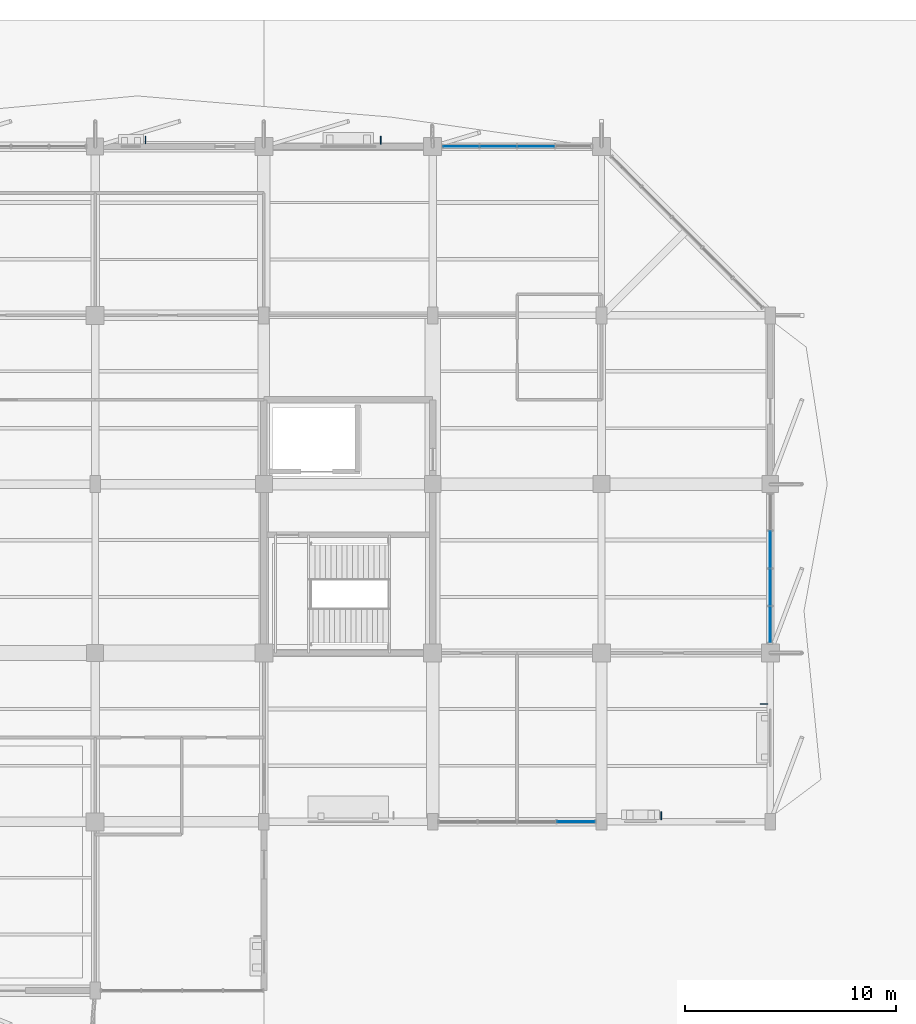
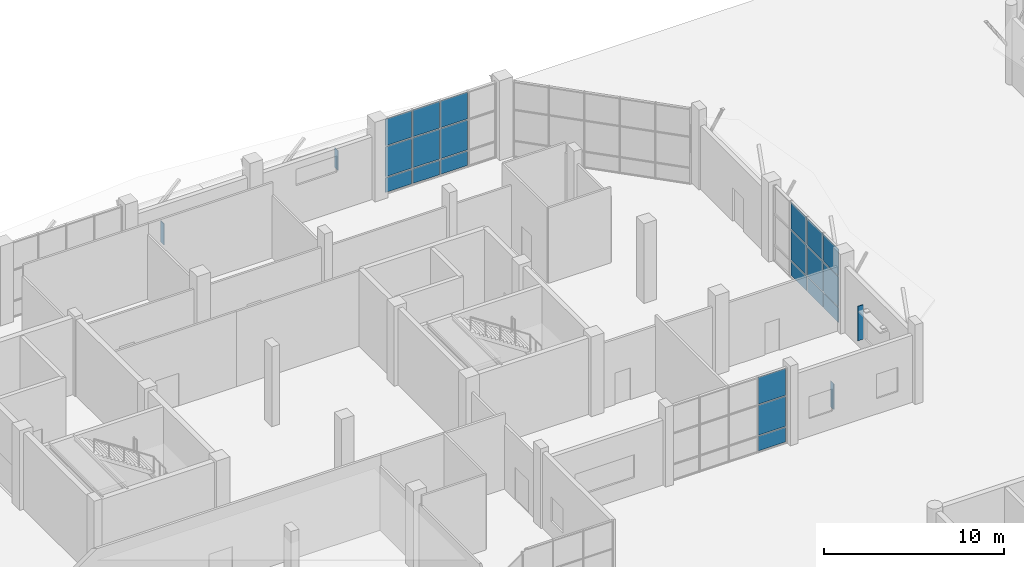
# One storey, part 81 of 123: 25 plates, 3 elements without a shape of their own.
"""IFC4 building model written with IfcOpenShell, lengths in metres."""

from ifc_helpers import new_model, si_unit, direction, frame, origin, origin_2d, place, context, subcontext, project, spatial, rectangle, extrude, material, layer, layer_set, type_object, element, aggregate, save


model = new_model("IFC4")

# Units and contexts
model_context = context("Model", 3, precision=1e-05, world=origin(), true_north=direction((0.0, 1.0)))
body_context = subcontext(model_context, "Body", "Model", "MODEL_VIEW")
ifc_project = project(units=[si_unit("LENGTHUNIT", "METRE"), si_unit("AREAUNIT", "SQUARE_METRE"), si_unit("VOLUMEUNIT", "CUBIC_METRE"), si_unit("PLANEANGLEUNIT", "RADIAN"), si_unit("MASSUNIT", "GRAM", prefix="KILO")], contexts=[model_context])

# Site, building, storey
site_placement = place(None, origin())
site = spatial("IfcSite", under=ifc_project, at=site_placement, CompositionType="ELEMENT")
building_placement = place(site_placement, origin())
building = spatial("IfcBuilding", under=site, at=building_placement, Name="Tenunan Teduh Sports Hall", CompositionType="ELEMENT")
storey_placement = place(building_placement, origin())
storey = spatial("IfcBuildingStorey", under=building, at=storey_placement, Name="L00", CompositionType="ELEMENT", Elevation=0.0)

# Curtain wall, plates
ifc_material_1 = material(Name="Anodised aluminium", Category="aluminium")
curtain_wall_type = type_object("IfcCurtainWallType", Name="CW-UNIT-1", PredefinedType="NOTDEFINED", material=ifc_material_1)
curtain_wall_1_placement = place(storey_placement, origin())
curtain_wall_1 = element("IfcCurtainWall", 1, at=curtain_wall_1_placement, inside=storey, type_object=curtain_wall_type, Name="CW-CWM-200-L00-192", PredefinedType="NOTDEFINED")
ifc_material_2 = material(Name="Low-E laminated double glazing", Category="glass")
ifc_layer_1 = layer(ifc_material_2, 0.028076171875)
ifc_layer_set_1 = layer_set([ifc_layer_1], Name="Low-E laminated double glazing")
plate_type_1 = type_object("IfcPlateType", Name="CWP-GLZ-28", PredefinedType="CURTAIN_PANEL", material=ifc_layer_set_1)
plate_1_placement = place(storey_placement, frame((68.794921875, 86.0, 1.134765625), z_axis=(0.0, 0.0, 1.0), x_axis=(1.0, 0.0, 0.0)))
plate_1 = element("IfcPlate", 2, at=plate_1_placement, type_object=plate_type_1, Name="CW-01 panel 4.2", PredefinedType="CURTAIN_PANEL", context=body_context, shape_type="SweptSolid", body=[
    extrude(rectangle(XDim=1.77001953125, YDim=0.028076171875, at=origin_2d()), origin(), (0.0, 0.0, 1.0), 2.030029296875),
])
plate_2_placement = place(storey_placement, frame((68.794921875, 86.0, 3.235107421875), z_axis=(0.0, 0.0, 1.0), x_axis=(1.0, 0.0, 0.0)))
plate_2 = element("IfcPlate", 3, at=plate_2_placement, type_object=plate_type_1, Name="CW-01 panel 4.3", PredefinedType="CURTAIN_PANEL", context=body_context, shape_type="SweptSolid", body=[
    extrude(rectangle(XDim=1.77001953125, YDim=0.028076171875, at=origin_2d()), origin(), (0.0, 0.0, 1.0), 1.81494140625),
])

curtain_wall_2_placement = place(storey_placement, origin())
curtain_wall_2 = element("IfcCurtainWall", 4, at=curtain_wall_2_placement, inside=storey, type_object=curtain_wall_type, Name="CW-CWM-220-L00-193", PredefinedType="NOTDEFINED")
ifc_material_3 = material(Name="Solar-control laminated glazing", Category="glass")
ifc_layer_2 = layer(ifc_material_3, 0.031982421875)
ifc_layer_set_2 = layer_set([ifc_layer_2], Name="Solar-control laminated glazing")
plate_type_2 = type_object("IfcPlateType", Name="CWP-GLZ-32", PredefinedType="CURTAIN_PANEL", material=ifc_layer_set_2)
plate_3_placement = place(storey_placement, frame((78.0, 95.340576171875, 1.137451171875), z_axis=(0.0, 0.0, 1.0), x_axis=(0.0, 1.0, 0.0)))
plate_3 = element("IfcPlate", 5, at=plate_3_placement, type_object=plate_type_2, Name="CW-01 panel 1.2", PredefinedType="CURTAIN_PANEL", context=body_context, shape_type="SweptSolid", body=[
    extrude(rectangle(XDim=1.68115234375, YDim=0.031982421875, at=origin_2d()), origin(), (0.0, 0.0, 1.0), 2.02490234375),
])
plate_4_placement = place(storey_placement, frame((78.0, 95.340576171875, 3.237548828125), z_axis=(0.0, 0.0, 1.0), x_axis=(0.0, 1.0, 0.0)))
plate_4 = element("IfcPlate", 6, at=plate_4_placement, type_object=plate_type_2, Name="CW-01 panel 1.3", PredefinedType="CURTAIN_PANEL", context=body_context, shape_type="SweptSolid", body=[
    extrude(rectangle(XDim=1.68115234375, YDim=0.031982421875, at=origin_2d()), origin(), (0.0, 0.0, 1.0), 1.8076171875),
])
plate_5_placement = place(storey_placement, frame((78.0, 97.11572265625, 1.137451171875), z_axis=(0.0, 0.0, 1.0), x_axis=(0.0, 1.0, 0.0)))
plate_5 = element("IfcPlate", 7, at=plate_5_placement, type_object=plate_type_2, Name="CW-01 panel 2.2", PredefinedType="CURTAIN_PANEL", context=body_context, shape_type="SweptSolid", body=[
    extrude(rectangle(XDim=1.71875, YDim=0.031982421875, at=origin_2d()), origin(), (0.0, 0.0, 1.0), 2.02490234375),
])
plate_6_placement = place(storey_placement, frame((78.0, 97.11572265625, 3.237548828125), z_axis=(0.0, 0.0, 1.0), x_axis=(0.0, 1.0, 0.0)))
plate_6 = element("IfcPlate", 8, at=plate_6_placement, type_object=plate_type_2, Name="CW-01 panel 2.3", PredefinedType="CURTAIN_PANEL", context=body_context, shape_type="SweptSolid", body=[
    extrude(rectangle(XDim=1.71875, YDim=0.031982421875, at=origin_2d()), origin(), (0.0, 0.0, 1.0), 1.8076171875),
])
plate_7_placement = place(storey_placement, frame((78.0, 98.909423828125, 1.137451171875), z_axis=(0.0, 0.0, 1.0), x_axis=(0.0, 1.0, 0.0)))
plate_7 = element("IfcPlate", 9, at=plate_7_placement, type_object=plate_type_2, Name="CW-01 panel 3.2", PredefinedType="CURTAIN_PANEL", context=body_context, shape_type="SweptSolid", body=[
    extrude(rectangle(XDim=1.71875, YDim=0.031982421875, at=origin_2d()), origin(), (0.0, 0.0, 1.0), 2.02490234375),
])
plate_8_placement = place(storey_placement, frame((78.0, 98.909423828125, 3.237548828125), z_axis=(0.0, 0.0, 1.0), x_axis=(0.0, 1.0, 0.0)))
plate_8 = element("IfcPlate", 10, at=plate_8_placement, type_object=plate_type_2, Name="CW-01 panel 3.3", PredefinedType="CURTAIN_PANEL", context=body_context, shape_type="SweptSolid", body=[
    extrude(rectangle(XDim=1.71875, YDim=0.031982421875, at=origin_2d()), origin(), (0.0, 0.0, 1.0), 1.8076171875),
])

curtain_wall_3_placement = place(storey_placement, origin())
curtain_wall_3 = element("IfcCurtainWall", 11, at=curtain_wall_3_placement, inside=storey, type_object=curtain_wall_type, Name="CW-CWM-220-L00-197", PredefinedType="NOTDEFINED")
plate_9_placement = place(storey_placement, frame((63.33740234375, 118.0, 1.137451171875), z_axis=(0.0, 0.0, 1.0), x_axis=(1.0, 0.0, 0.0)))
plate_9 = element("IfcPlate", 12, at=plate_9_placement, type_object=plate_type_2, Name="CW-01 panel 1.2", PredefinedType="CURTAIN_PANEL", context=body_context, shape_type="SweptSolid", body=[
    extrude(rectangle(XDim=1.675048828125, YDim=0.031982421875, at=origin_2d()), origin(), (0.0, 0.0, 1.0), 2.02490234375),
])
plate_10_placement = place(storey_placement, frame((63.33740234375, 118.0, 3.237548828125), z_axis=(0.0, 0.0, 1.0), x_axis=(1.0, 0.0, 0.0)))
plate_10 = element("IfcPlate", 13, at=plate_10_placement, type_object=plate_type_2, Name="CW-01 panel 1.3", PredefinedType="CURTAIN_PANEL", context=body_context, shape_type="SweptSolid", body=[
    extrude(rectangle(XDim=1.675048828125, YDim=0.031982421875, at=origin_2d()), origin(), (0.0, 0.0, 1.0), 1.8076171875),
])
plate_11_placement = place(storey_placement, frame((65.106201171875, 118.0, 1.137451171875), z_axis=(0.0, 0.0, 1.0), x_axis=(1.0, 0.0, 0.0)))
plate_11 = element("IfcPlate", 14, at=plate_11_placement, type_object=plate_type_2, Name="CW-01 panel 2.2", PredefinedType="CURTAIN_PANEL", context=body_context, shape_type="SweptSolid", body=[
    extrude(rectangle(XDim=1.71240234375, YDim=0.031982421875, at=origin_2d()), origin(), (0.0, 0.0, 1.0), 2.02490234375),
])
plate_12_placement = place(storey_placement, frame((65.106201171875, 118.0, 3.237548828125), z_axis=(0.0, 0.0, 1.0), x_axis=(1.0, 0.0, 0.0)))
plate_12 = element("IfcPlate", 15, at=plate_12_placement, type_object=plate_type_2, Name="CW-01 panel 2.3", PredefinedType="CURTAIN_PANEL", context=body_context, shape_type="SweptSolid", body=[
    extrude(rectangle(XDim=1.71240234375, YDim=0.031982421875, at=origin_2d()), origin(), (0.0, 0.0, 1.0), 1.8076171875),
])
plate_13_placement = place(storey_placement, frame((66.893798828125, 118.0, 1.137451171875), z_axis=(0.0, 0.0, 1.0), x_axis=(1.0, 0.0, 0.0)))
plate_13 = element("IfcPlate", 16, at=plate_13_placement, type_object=plate_type_2, Name="CW-01 panel 3.2", PredefinedType="CURTAIN_PANEL", context=body_context, shape_type="SweptSolid", body=[
    extrude(rectangle(XDim=1.71240234375, YDim=0.031982421875, at=origin_2d()), origin(), (0.0, 0.0, 1.0), 2.02490234375),
])
plate_14_placement = place(storey_placement, frame((66.893798828125, 118.0, 3.237548828125), z_axis=(0.0, 0.0, 1.0), x_axis=(1.0, 0.0, 0.0)))
plate_14 = element("IfcPlate", 17, at=plate_14_placement, type_object=plate_type_2, Name="CW-01 panel 3.3", PredefinedType="CURTAIN_PANEL", context=body_context, shape_type="SweptSolid", body=[
    extrude(rectangle(XDim=1.71240234375, YDim=0.031982421875, at=origin_2d()), origin(), (0.0, 0.0, 1.0), 1.8076171875),
])

# Plate
ifc_material_4 = material(Name="Insulated aluminium spandrel panel", Category="aluminium")
ifc_layer_3 = layer(ifc_material_4, 0.044921875)
ifc_layer_set_3 = layer_set([ifc_layer_3], Name="Insulated aluminium spandrel panel")
plate_type_3 = type_object("IfcPlateType", Name="CWP-SPN-45", PredefinedType="CURTAIN_PANEL", material=ifc_layer_set_3)
plate_15_placement = place(storey_placement, frame((68.794921875, 86.0, 0.06982421875), z_axis=(0.0, 0.0, 1.0), x_axis=(1.0, 0.0, 0.0)))
plate_15 = element("IfcPlate", 18, at=plate_15_placement, type_object=plate_type_3, Name="CW-01 panel 4.1", PredefinedType="CURTAIN_PANEL", context=body_context, shape_type="SweptSolid", body=[
    extrude(rectangle(XDim=1.77001953125, YDim=0.028076171875, at=origin_2d()), origin(), (0.0, 0.0, 1.0), 0.9951171875),
])

aggregate(curtain_wall_1, [plate_15, plate_1, plate_2])

plate_16_placement = place(storey_placement, frame((78.0, 95.340576171875, 0.0751953125), z_axis=(0.0, 0.0, 1.0), x_axis=(0.0, 1.0, 0.0)))
plate_16 = element("IfcPlate", 19, at=plate_16_placement, type_object=plate_type_3, Name="CW-01 panel 1.1", PredefinedType="CURTAIN_PANEL", context=body_context, shape_type="SweptSolid", body=[
    extrude(rectangle(XDim=1.68115234375, YDim=0.031982421875, at=origin_2d()), origin(), (0.0, 0.0, 1.0), 0.987548828125),
])

plate_17_placement = place(storey_placement, frame((78.0, 97.11572265625, 0.0751953125), z_axis=(0.0, 0.0, 1.0), x_axis=(0.0, 1.0, 0.0)))
plate_17 = element("IfcPlate", 20, at=plate_17_placement, type_object=plate_type_3, Name="CW-01 panel 2.1", PredefinedType="CURTAIN_PANEL", context=body_context, shape_type="SweptSolid", body=[
    extrude(rectangle(XDim=1.71875, YDim=0.031982421875, at=origin_2d()), origin(), (0.0, 0.0, 1.0), 0.987548828125),
])

plate_18_placement = place(storey_placement, frame((78.0, 98.909423828125, 0.0751953125), z_axis=(0.0, 0.0, 1.0), x_axis=(0.0, 1.0, 0.0)))
plate_18 = element("IfcPlate", 21, at=plate_18_placement, type_object=plate_type_3, Name="CW-01 panel 3.1", PredefinedType="CURTAIN_PANEL", context=body_context, shape_type="SweptSolid", body=[
    extrude(rectangle(XDim=1.71875, YDim=0.031982421875, at=origin_2d()), origin(), (0.0, 0.0, 1.0), 0.987548828125),
])

aggregate(curtain_wall_2, [plate_16, plate_3, plate_4, plate_17, plate_5, plate_6, plate_18, plate_7, plate_8])

plate_19_placement = place(storey_placement, frame((63.33740234375, 118.0, 0.0751953125), z_axis=(0.0, 0.0, 1.0), x_axis=(1.0, 0.0, 0.0)))
plate_19 = element("IfcPlate", 22, at=plate_19_placement, type_object=plate_type_3, Name="CW-01 panel 1.1", PredefinedType="CURTAIN_PANEL", context=body_context, shape_type="SweptSolid", body=[
    extrude(rectangle(XDim=1.675048828125, YDim=0.031982421875, at=origin_2d()), origin(), (0.0, 0.0, 1.0), 0.987548828125),
])

plate_20_placement = place(storey_placement, frame((65.106201171875, 118.0, 0.0751953125), z_axis=(0.0, 0.0, 1.0), x_axis=(1.0, 0.0, 0.0)))
plate_20 = element("IfcPlate", 23, at=plate_20_placement, type_object=plate_type_3, Name="CW-01 panel 2.1", PredefinedType="CURTAIN_PANEL", context=body_context, shape_type="SweptSolid", body=[
    extrude(rectangle(XDim=1.71240234375, YDim=0.031982421875, at=origin_2d()), origin(), (0.0, 0.0, 1.0), 0.987548828125),
])

plate_21_placement = place(storey_placement, frame((66.893798828125, 118.0, 0.0751953125), z_axis=(0.0, 0.0, 1.0), x_axis=(1.0, 0.0, 0.0)))
plate_21 = element("IfcPlate", 24, at=plate_21_placement, type_object=plate_type_3, Name="CW-01 panel 3.1", PredefinedType="CURTAIN_PANEL", context=body_context, shape_type="SweptSolid", body=[
    extrude(rectangle(XDim=1.71240234375, YDim=0.031982421875, at=origin_2d()), origin(), (0.0, 0.0, 1.0), 0.987548828125),
])

aggregate(curtain_wall_3, [plate_19, plate_9, plate_10, plate_20, plate_11, plate_12, plate_21, plate_13, plate_14])

# Plates
ifc_material_5 = material(Name="Anodised aluminium", Category="aluminium")
ifc_layer_4 = layer(ifc_material_5, 1.89990234375)
ifc_layer_set_4 = layer_set([ifc_layer_4], Name="Anodised aluminium")
plate_type_4 = type_object("IfcPlateType", Name="PLT-FIN-1", PredefinedType="SHEET", material=ifc_layer_set_4)
plate_22_placement = place(storey_placement, frame((72.840087890625, 86.284912109375, 1.080078125), z_axis=(0.0, 0.0, 1.0), x_axis=(1.0, 0.0, 0.0)))
element("IfcPlate", 25, at=plate_22_placement, inside=storey, type_object=plate_type_4, Name="PLT-FIN-L00-015", PredefinedType="SHEET", context=body_context, shape_type="SweptSolid", body=[
    extrude(rectangle(XDim=0.0400390625, YDim=0.360107421875, at=origin_2d()), origin(), (0.0, 0.0, 1.0), 1.739990234375),
])
plate_23_placement = place(storey_placement, frame((77.699951171875, 91.580078125, 0.77978515625), z_axis=(0.0, 0.0, 1.0), x_axis=(0.0, 1.0, 0.0)))
element("IfcPlate", 26, at=plate_23_placement, inside=storey, type_object=plate_type_4, Name="PLT-FIN-L00-016", PredefinedType="SHEET", context=body_context, shape_type="SweptSolid", body=[
    extrude(rectangle(XDim=0.0400390625, YDim=0.360107421875, at=origin_2d()), origin(), (0.0, 0.0, 1.0), 2.340087890625),
])
plate_24_placement = place(storey_placement, frame((48.389892578125, 118.304931640625, 1.380126953125), z_axis=(0.0, 0.0, 1.0), x_axis=(1.0, 0.0, 0.0)))
element("IfcPlate", 27, at=plate_24_placement, inside=storey, type_object=plate_type_4, Name="PLT-FIN-L00-018", PredefinedType="SHEET", context=body_context, shape_type="SweptSolid", body=[
    extrude(rectangle(XDim=0.0400390625, YDim=0.360107421875, at=origin_2d()), origin(), (0.0, 0.0, 1.0), 1.43994140625),
])
plate_25_placement = place(storey_placement, frame((59.544921875, 118.300048828125, 2.52978515625), z_axis=(0.0, 0.0, 1.0), x_axis=(1.0, 0.0, 0.0)))
element("IfcPlate", 28, at=plate_25_placement, inside=storey, type_object=plate_type_4, Name="PLT-FIN-L00-019", PredefinedType="SHEET", context=body_context, shape_type="SweptSolid", body=[
    extrude(rectangle(XDim=0.0400390625, YDim=0.360107421875, at=origin_2d()), origin(), (0.0, 0.0, 1.0), 1.340087890625),
])

save(model, "model.ifc")
